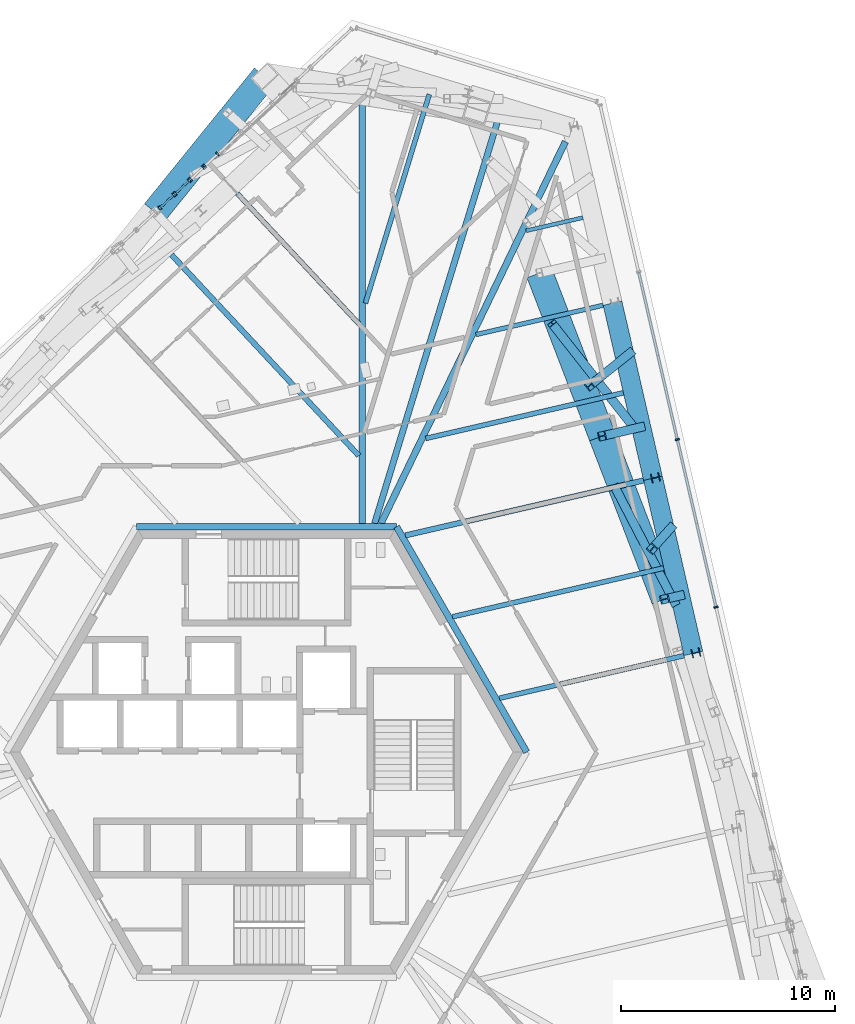
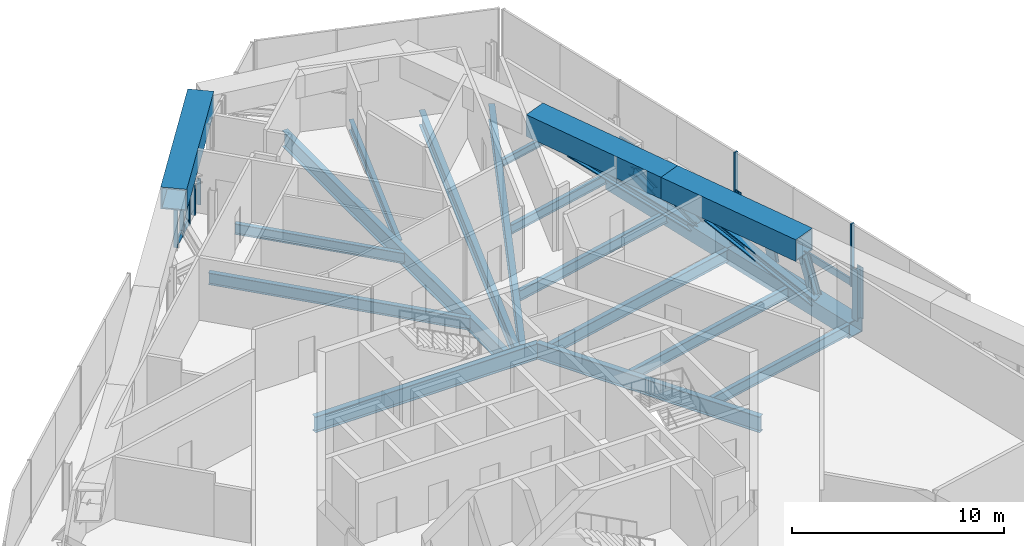
# One storey, part 8 of 31: 27 members, 14 beams, 5 elements without a shape of their own.
"""IFC4 building model written with IfcOpenShell, lengths in metres."""

from ifc_helpers import new_model, si_unit, direction, frame, origin, origin_2d, place, context, subcontext, project, spatial, rectangle, hollow_rectangle, i_section, extrude, source, transform, mapped, material, material_profile, profile_set, type_object, element, aggregate, save


model = new_model("IFC4")

# Units and contexts
model_context = context("Model", 3, precision=1e-05, world=origin(), true_north=direction((0.0, 1.0)))
body_context = subcontext(model_context, "Body", "Model", "MODEL_VIEW")
ifc_project = project(units=[si_unit("LENGTHUNIT", "METRE"), si_unit("AREAUNIT", "SQUARE_METRE"), si_unit("VOLUMEUNIT", "CUBIC_METRE"), si_unit("PLANEANGLEUNIT", "RADIAN"), si_unit("MASSUNIT", "GRAM", prefix="KILO")], contexts=[model_context])

# Site, building, storey
site_placement = place(None, origin())
site = spatial("IfcSite", under=ifc_project, at=site_placement, CompositionType="ELEMENT")
building_placement = place(site_placement, origin())
building = spatial("IfcBuilding", under=site, at=building_placement, Name="Triune Harvest Tower", CompositionType="ELEMENT")
storey_placement = place(building_placement, frame((0.0, 0.0, 134.300048828125)))
storey = spatial("IfcBuildingStorey", under=building, at=storey_placement, Name="L34", CompositionType="ELEMENT", Elevation=134.300048828125)

# Beams
ifc_material_1 = material(Name="Steel ASTM A992 Gr 50", Category="steel")
ifc_material_profile_1 = material_profile(ifc_material_1, i_section(OverallWidth=0.180908203125, OverallDepth=0.41650390625, WebThickness=0.010986328125, FlangeThickness=0.01806640625, at=origin_2d()), Name="W16x57")
ifc_profile_set_1 = profile_set([ifc_material_profile_1], Name="Steel ASTM A992 Gr 50")
beam_type_1 = type_object("IfcBeamType", Name="JT-1 Floor joist W16x57", PredefinedType="JOIST", material=ifc_profile_set_1)
beam_1_placement = place(storey_placement, frame((14.8095703125, 25.008544921875, -0.458251953125), z_axis=(-0.974376138441, -0.224924744829, 0.0), x_axis=(0.224924744829, -0.974376138441, 0.0)))
element("IfcBeam", 1, at=beam_1_placement, inside=storey, type_object=beam_type_1, Name="beam/L34/JT11", PredefinedType="JOIST", context=body_context, shape_type="SweptSolid", body=[
    extrude(i_section(OverallWidth=0.180908203125, OverallDepth=0.41650390625, WebThickness=0.010986328125, FlangeThickness=0.01806640625, at=origin_2d()), origin(), (0.0, 0.0, 1.0), 2.733154296875),
])
ifc_material_2 = material(Name="Steel ASTM A992 Gr 50", Category="steel")
ifc_material_profile_2 = material_profile(ifc_material_2, i_section(OverallWidth=0.22900390625, OverallDepth=0.612060546875, WebThickness=0.011962890625, FlangeThickness=0.01953125, at=origin_2d()), Name="W24x84")
ifc_profile_set_2 = profile_set([ifc_material_profile_2], Name="Steel ASTM A992 Gr 50")
beam_type_2 = type_object("IfcBeamType", Name="JT-3 Floor joist W24x84", PredefinedType="JOIST", material=ifc_profile_set_2)
beam_2_placement = place(storey_placement, frame((16.702392578125, 16.809814453125, -0.55615234375), z_axis=(-0.97436821741, -0.224959056055, 0.0), x_axis=(0.224959056055, -0.97436821741, 0.0)))
element("IfcBeam", 2, at=beam_2_placement, inside=storey, type_object=beam_type_2, Name="beam/L34/JT9", PredefinedType="JOIST", context=body_context, shape_type="SweptSolid", body=[
    extrude(i_section(OverallWidth=0.22900390625, OverallDepth=0.612060546875, WebThickness=0.011962890625, FlangeThickness=0.01953125, at=origin_2d()), origin(), (0.0, 0.0, 1.0), 9.492919921875),
])

# Curtain wall, member
ifc_material_3 = material(Name="Aluminium bronze anodised", Category="aluminium")
curtain_wall_type = type_object("IfcCurtainWallType", Name="CW-5 Plant louvre wall", PredefinedType="NOTDEFINED", material=ifc_material_3)
curtain_wall_1_placement = place(storey_placement, origin())
curtain_wall_1 = element("IfcCurtainWall", 3, at=curtain_wall_1_placement, inside=storey, type_object=curtain_wall_type, Name="CW-5 B3-F1 L34 run 1601")
ifc_material_4 = material(Name="Aluminium bronze anodised", Category="aluminium")
ifc_material_profile_3 = material_profile(ifc_material_4, rectangle(XDim=0.10009765625, YDim=0.39990234375, at=origin_2d()), Name="TR-5 transom 100 x 400")
ifc_profile_set_3 = profile_set([ifc_material_profile_3], Name="Aluminium bronze anodised")
member_type_1 = type_object("IfcMemberType", Name="TR-5 transom 100 x 400", PredefinedType="USERDEFINED", material=ifc_profile_set_3)
member_1_placement = place(storey_placement, frame((21.029541015625, 6.817138671875, 0.199951171875), z_axis=(-0.224944488711, 0.974371580558, 0.0), x_axis=(-0.974371580558, -0.224944488711, 0.0)))
member_1 = element("IfcMember", 4, at=member_1_placement, type_object=member_type_1, Name="CW-5 transom B3-F1 1601.2", ObjectType="TRANSOM", PredefinedType="USERDEFINED", context=body_context, shape_type="SweptSolid", body=[
    extrude(rectangle(XDim=0.10009765625, YDim=0.39990234375, at=origin_2d()), origin(), (0.0, 0.0, 1.0), 7.972900390625),
])

# Beams
ifc_material_5 = material(Name="Steel ASTM A992 Gr 50", Category="steel")
ifc_material_profile_4 = material_profile(ifc_material_5, i_section(OverallWidth=0.3046875, OverallDepth=0.914306640625, WebThickness=0.0166015625, FlangeThickness=0.02587890625, at=origin_2d()), Name="W36x160")
ifc_profile_set_4 = profile_set([ifc_material_profile_4], Name="Steel ASTM A992 Gr 50")
beam_type_3 = type_object("IfcBeamType", Name="CG-1 Core ring girder W36x160", PredefinedType="BEAM", material=ifc_profile_set_4)
shared_shape_1 = source(origin(), body_context, "Body", "SweptSolid", [
    extrude(i_section(OverallWidth=0.3046875, OverallDepth=0.914306640625, WebThickness=0.0166015625, FlangeThickness=0.02587890625, at=origin_2d()), origin(), (0.0, 0.0, 1.0), 12.176025390625),
])
beam_3_placement = place(storey_placement, frame((12.176025390625, 0.0, -0.707275390625), z_axis=(-0.5000099932, 0.866019634131, 0.0), x_axis=(-0.866019634131, -0.5000099932, 0.0)))
element("IfcBeam", 5, at=beam_3_placement, inside=storey, type_object=beam_type_3, Name="beam/L34/CG1", PredefinedType="BEAM", context=body_context, shape_type="MappedRepresentation", body=[
    mapped(shared_shape_1, transform((0.0, 0.0, 0.0), scale=1.0)),
])
shared_shape_2 = source(origin(), body_context, "Body", "SweptSolid", [
    extrude(i_section(OverallWidth=0.3046875, OverallDepth=0.914306640625, WebThickness=0.0166015625, FlangeThickness=0.02587890625, at=origin_2d()), origin(), (0.0, 0.0, 1.0), 12.17578125),
])
beam_4_placement = place(storey_placement, frame((6.087890625, 10.544677734375, -0.707275390625), z_axis=(-1.0, 0.0, 0.0), x_axis=(0.0, -1.0, 0.0)))
element("IfcBeam", 6, at=beam_4_placement, inside=storey, type_object=beam_type_3, Name="beam/L34/CG2", PredefinedType="BEAM", context=body_context, shape_type="MappedRepresentation", body=[
    mapped(shared_shape_2, transform((0.0, 0.0, 0.0), scale=1.0)),
])
ifc_material_6 = material(Name="Steel ASTM A992 Gr 50", Category="steel")
ifc_material_profile_5 = material_profile(ifc_material_6, i_section(OverallWidth=0.307373046875, OverallDepth=0.922119140625, WebThickness=0.018310546875, FlangeThickness=0.030029296875, at=origin_2d()), Name="W36x182")
ifc_profile_set_5 = profile_set([ifc_material_profile_5], Name="Steel ASTM A992 Gr 50")
beam_type_4 = type_object("IfcBeamType", Name="HG-2 Hip girder W36x182", PredefinedType="BEAM", material=ifc_profile_set_5)
shared_shape_3 = source(origin(), body_context, "Body", "SweptSolid", [
    extrude(i_section(OverallWidth=0.307373046875, OverallDepth=0.922119140625, WebThickness=0.018310546875, FlangeThickness=0.030029296875, at=origin_2d()), origin(), (0.0, 0.0, 1.0), 19.839111328125),
])
beam_5_placement = place(storey_placement, frame((13.989013671875, 28.56201171875, -0.7109375), z_axis=(-0.434870199671, -0.900493147913, 0.0), x_axis=(0.900493147913, -0.434870199671, 0.0)))
element("IfcBeam", 7, at=beam_5_placement, inside=storey, type_object=beam_type_4, Name="beam/L34/HG3", PredefinedType="BEAM", context=body_context, shape_type="MappedRepresentation", body=[
    mapped(shared_shape_3, transform((0.0, 0.0, 0.0), scale=1.0)),
])
shared_shape_4 = source(origin(), body_context, "Body", "SweptSolid", [
    extrude(i_section(OverallWidth=0.307373046875, OverallDepth=0.922119140625, WebThickness=0.018310546875, FlangeThickness=0.030029296875, at=origin_2d()), origin(), (0.0, 0.0, 1.0), 20.900390625),
])
beam_6_placement = place(storey_placement, frame((4.47705078125, 31.597412109375, -0.7109375), z_axis=(0.0, -1.0, 0.0), x_axis=(1.0, 0.0, 0.0)))
element("IfcBeam", 8, at=beam_6_placement, inside=storey, type_object=beam_type_4, Name="beam/L34/HG4", PredefinedType="BEAM", context=body_context, shape_type="MappedRepresentation", body=[
    mapped(shared_shape_4, transform((0.0, 0.0, 0.0), scale=1.0)),
])
shared_shape_5 = source(origin(), body_context, "Body", "SweptSolid", [
    extrude(i_section(OverallWidth=0.22900390625, OverallDepth=0.612060546875, WebThickness=0.011962890625, FlangeThickness=0.01953125, at=origin_2d()), origin(), (0.0, 0.0, 1.0), 8.86962890625),
])
beam_7_placement = place(storey_placement, frame((19.54150390625, 4.511474609375, -0.55615234375), z_axis=(-0.974373099975, -0.224937907088, 0.0), x_axis=(0.224937907088, -0.974373099975, 0.0)))
element("IfcBeam", 9, at=beam_7_placement, inside=storey, type_object=beam_type_2, Name="beam/L34/JT6", PredefinedType="JOIST", context=body_context, shape_type="MappedRepresentation", body=[
    mapped(shared_shape_5, transform((0.0, 0.0, 0.0), scale=1.0)),
])
shared_shape_6 = source(origin(), body_context, "Body", "SweptSolid", [
    extrude(i_section(OverallWidth=0.22900390625, OverallDepth=0.612060546875, WebThickness=0.011962890625, FlangeThickness=0.01953125, at=origin_2d()), origin(), (0.0, 0.0, 1.0), 10.156005859375),
])
beam_8_placement = place(storey_placement, frame((18.59521484375, 8.61083984375, -0.55615234375), z_axis=(-0.974374176509, -0.224933243767, 0.0), x_axis=(0.224933243767, -0.974374176509, 0.0)))
element("IfcBeam", 10, at=beam_8_placement, inside=storey, type_object=beam_type_2, Name="beam/L34/JT7", PredefinedType="JOIST", context=body_context, shape_type="MappedRepresentation", body=[
    mapped(shared_shape_6, transform((0.0, 0.0, 0.0), scale=1.0)),
])
ifc_material_7 = material(Name="Steel ASTM A992 Gr 50", Category="steel")
ifc_material_profile_6 = material_profile(ifc_material_7, i_section(OverallWidth=0.253662109375, OverallDepth=0.683349609375, WebThickness=0.012451171875, FlangeThickness=0.01904296875, at=origin_2d()), Name="W27x94")
ifc_profile_set_6 = profile_set([ifc_material_profile_6], Name="Steel ASTM A992 Gr 50")
beam_type_5 = type_object("IfcBeamType", Name="JT-4 Floor joist W27x94", PredefinedType="JOIST", material=ifc_profile_set_6)
shared_shape_7 = source(origin(), body_context, "Body", "SweptSolid", [
    extrude(i_section(OverallWidth=0.253662109375, OverallDepth=0.683349609375, WebThickness=0.012451171875, FlangeThickness=0.01904296875, at=origin_2d()), origin(), (0.0, 0.0, 1.0), 11.442138671875),
])
beam_9_placement = place(storey_placement, frame((17.648681640625, 12.710205078125, -0.591552734375), z_axis=(-0.974369254843, -0.224954562559, 0.0), x_axis=(0.224954562559, -0.974369254843, 0.0)))
element("IfcBeam", 11, at=beam_9_placement, inside=storey, type_object=beam_type_5, Name="beam/L34/JT8", PredefinedType="JOIST", context=body_context, shape_type="MappedRepresentation", body=[
    mapped(shared_shape_7, transform((0.0, 0.0, 0.0), scale=1.0)),
])
ifc_material_8 = material(Name="Steel ASTM A992 Gr 50", Category="steel")
ifc_material_profile_7 = material_profile(ifc_material_8, i_section(OverallWidth=0.2099609375, OverallDepth=0.535888671875, WebThickness=0.010986328125, FlangeThickness=0.017333984375, at=origin_2d()), Name="W21x68")
ifc_profile_set_7 = profile_set([ifc_material_profile_7], Name="Steel ASTM A992 Gr 50")
beam_type_6 = type_object("IfcBeamType", Name="JT-2 Floor joist W21x68", PredefinedType="JOIST", material=ifc_profile_set_7)
shared_shape_8 = source(origin(), body_context, "Body", "SweptSolid", [
    extrude(i_section(OverallWidth=0.2099609375, OverallDepth=0.535888671875, WebThickness=0.010986328125, FlangeThickness=0.017333984375, at=origin_2d()), origin(), (0.0, 0.0, 1.0), 6.11279296875),
])
beam_10_placement = place(storey_placement, frame((15.755859375, 20.9091796875, -0.51806640625), z_axis=(-0.974363589725, -0.22497909907, 0.0), x_axis=(0.22497909907, -0.974363589725, 0.0)))
element("IfcBeam", 12, at=beam_10_placement, inside=storey, type_object=beam_type_6, Name="beam/L34/JT10", PredefinedType="JOIST", context=body_context, shape_type="MappedRepresentation", body=[
    mapped(shared_shape_8, transform((0.0, 0.0, 0.0), scale=1.0)),
])
ifc_material_9 = material(Name="Steel ASTM A992 Gr 50", Category="steel")
ifc_material_profile_8 = material_profile(ifc_material_9, i_section(OverallWidth=0.2919921875, OverallDepth=0.8583984375, WebThickness=0.01708984375, FlangeThickness=0.031005859375, at=origin_2d()), Name="W33x169")
ifc_profile_set_8 = profile_set([ifc_material_profile_8], Name="Steel ASTM A992 Gr 50")
beam_type_7 = type_object("IfcBeamType", Name="JT-7 Floor joist W33x169", PredefinedType="JOIST", material=ifc_profile_set_8)
shared_shape_9 = source(origin(), body_context, "Body", "SweptSolid", [
    extrude(i_section(OverallWidth=0.2919921875, OverallDepth=0.8583984375, WebThickness=0.01708984375, FlangeThickness=0.031005859375, at=origin_2d()), origin(), (0.0, 0.0, 1.0), 19.954833984375),
])
beam_11_placement = place(storey_placement, frame((10.89501953125, 29.780029296875, -0.679443359375), z_axis=(-0.292359027936, -0.956308631554, 0.0), x_axis=(0.956308631554, -0.292359027936, 0.0)))
element("IfcBeam", 13, at=beam_11_placement, inside=storey, type_object=beam_type_7, Name="beam/L34/JT12", PredefinedType="JOIST", context=body_context, shape_type="MappedRepresentation", body=[
    mapped(shared_shape_9, transform((0.0, 0.0, 0.0), scale=1.0)),
])
shared_shape_10 = source(origin(), body_context, "Body", "SweptSolid", [
    extrude(i_section(OverallWidth=0.22900390625, OverallDepth=0.612060546875, WebThickness=0.011962890625, FlangeThickness=0.01953125, at=origin_2d()), origin(), (0.0, 0.0, 1.0), 10.225341796875),
])
beam_12_placement = place(storey_placement, frame((7.620361328125, 30.78125, -0.55615234375), z_axis=(-0.292362294119, -0.956307633023, 0.0), x_axis=(0.956307633023, -0.292362294119, 0.0)))
element("IfcBeam", 14, at=beam_12_placement, inside=storey, type_object=beam_type_2, Name="beam/L34/JT13", PredefinedType="JOIST", context=body_context, shape_type="MappedRepresentation", body=[
    mapped(shared_shape_10, transform((0.0, 0.0, 0.0), scale=1.0)),
])
shared_shape_11 = source(origin(), body_context, "Body", "SweptSolid", [
    extrude(i_section(OverallWidth=0.22900390625, OverallDepth=0.612060546875, WebThickness=0.011962890625, FlangeThickness=0.01953125, at=origin_2d()), origin(), (0.0, 0.0, 1.0), 8.34814453125),
])
beam_13_placement = place(storey_placement, frame((-1.369873046875, 26.14501953125, -0.55615234375), z_axis=(0.681993084232, -0.731358621375, 0.0), x_axis=(0.731358621375, 0.681993084232, 0.0)))
element("IfcBeam", 15, at=beam_13_placement, inside=storey, type_object=beam_type_2, Name="beam/L34/JT15", PredefinedType="JOIST", context=body_context, shape_type="MappedRepresentation", body=[
    mapped(shared_shape_11, transform((0.0, 0.0, 0.0), scale=1.0)),
])
shared_shape_12 = source(origin(), body_context, "Body", "SweptSolid", [
    extrude(i_section(OverallWidth=0.253662109375, OverallDepth=0.683349609375, WebThickness=0.012451171875, FlangeThickness=0.01904296875, at=origin_2d()), origin(), (0.0, 0.0, 1.0), 12.85986328125),
])
beam_14_placement = place(storey_placement, frame((-4.447021484375, 23.275634765625, -0.591552734375), z_axis=(0.682005684837, -0.731346871088, 0.0), x_axis=(0.731346871088, 0.682005684837, 0.0)))
element("IfcBeam", 16, at=beam_14_placement, inside=storey, type_object=beam_type_5, Name="beam/L34/JT16", PredefinedType="JOIST", context=body_context, shape_type="MappedRepresentation", body=[
    mapped(shared_shape_12, transform((0.0, 0.0, 0.0), scale=1.0)),
])

# Members
ifc_material_10 = material(Name="Steel ASTM A992 Gr 50", Category="steel")
ifc_material_profile_9 = material_profile(ifc_material_10, i_section(OverallWidth=0.396240234375, OverallDepth=0.381103515625, WebThickness=0.01904296875, FlangeThickness=0.0302734375, at=origin_2d()), Name="W14x159")
ifc_profile_set_9 = profile_set([ifc_material_profile_9], Name="Steel ASTM A992 Gr 50")
member_type_2 = type_object("IfcMemberType", Name="WP-3 Roof edge post W14x159", PredefinedType="POST", material=ifc_profile_set_9)
shared_shape_13 = source(origin(), body_context, "Body", "SweptSolid", [
    extrude(i_section(OverallWidth=0.396240234375, OverallDepth=0.381103515625, WebThickness=0.01904296875, FlangeThickness=0.0302734375, at=origin_2d()), origin(), (0.0, 0.0, 1.0), 2.935546875),
])
for number, where, z_axis, x_axis, name in (
    (17, (20.096923828125, 4.639892578125, -0.25), (0.0, 0.0, 1.0), (-0.22495275494, 0.97436967217, 0.0), "post/L34/W3"),
    (18, (18.2041015625, 12.83837890625, -0.25), (0.0, 0.0, 1.0), (-0.22495275494, 0.97436967217, 0.0), "post/L34/W4"),
):
    element("IfcMember", number, at=place(storey_placement, frame(where, z_axis=z_axis, x_axis=x_axis)), inside=storey, type_object=member_type_2, Name=name, PredefinedType="POST", context=body_context, shape_type="MappedRepresentation", body=[
        mapped(shared_shape_13, transform((0.0, 0.0, 0.0), scale=1.0)),
    ])
ifc_material_11 = material(Name="Steel ASTM A572 Gr 50", Category="steel")
ifc_material_profile_10 = material_profile(ifc_material_11, hollow_rectangle(XDim=0.89990234375, YDim=0.89990234375, WallThickness=0.050048828125, at=origin_2d()), Name="Box 900x900x50")
ifc_profile_set_10 = profile_set([ifc_material_profile_10], Name="Steel ASTM A572 Gr 50")
member_type_3 = type_object("IfcMemberType", Name="TC-2 Belt truss chord Box 900x900x50", PredefinedType="CHORD", material=ifc_profile_set_10)
shared_shape_14 = source(origin(), body_context, "Body", "SweptSolid", [
    extrude(hollow_rectangle(XDim=0.89990234375, YDim=0.89990234375, WallThickness=0.050048828125, at=origin_2d()), origin(), (0.0, 0.0, 1.0), 8.414306640625),
])
for number, where, z_axis, x_axis, name in (
    (19, (19.97998046875, 4.61279296875, -0.699951171875), (-0.224950624774, 0.974370163959, 0.0), (-0.974370163959, -0.224950624774, 0.0), "truss/L34/TCB4"),
    (20, (18.087158203125, 12.8115234375, -0.699951171875), (-0.224950624774, 0.974370163959, 0.0), (-0.974370163959, -0.224950624774, 0.0), "truss/L34/TCB5"),
):
    element("IfcMember", number, at=place(storey_placement, frame(where, z_axis=z_axis, x_axis=x_axis)), inside=storey, type_object=member_type_3, Name=name, PredefinedType="CHORD", context=body_context, shape_type="MappedRepresentation", body=[
        mapped(shared_shape_14, transform((0.0, 0.0, 0.0), scale=1.0)),
    ])
ifc_material_12 = material(Name="Steel ASTM A572 Gr 50", Category="steel")
ifc_material_profile_11 = material_profile(ifc_material_12, hollow_rectangle(XDim=1.25, YDim=1.25, WallThickness=0.070068359375, at=origin_2d()), Name="Box 1250x1250x70")
ifc_profile_set_11 = profile_set([ifc_material_profile_11], Name="Steel ASTM A572 Gr 50")
member_type_4 = type_object("IfcMemberType", Name="TC-1 Belt truss chord Box 1250x1250x70", PredefinedType="CHORD", material=ifc_profile_set_11)
shared_shape_15 = source(origin(), body_context, "Body", "SweptSolid", [
    extrude(hollow_rectangle(XDim=1.25, YDim=1.25, WallThickness=0.070068359375, at=origin_2d()), origin(), (0.0, 0.0, 1.0), 8.175048828125),
])
for number, where, z_axis, x_axis, name in (
    (21, (15.706298828125, 14.78564453125, 2.974853515625), (-0.358368636722, 0.933580162714, 0.0), (-0.933580162714, -0.358368636722, 0.0), "truss/L34/TCT5"),
    (22, (-0.0791015625, 31.621826171875, 2.974853515625), (-0.629334818401, -0.777134278196, 0.0), (0.777134278196, -0.629334818401, 0.0), "truss/L34/TCT9"),
):
    element("IfcMember", number, at=place(storey_placement, frame(where, z_axis=z_axis, x_axis=x_axis)), inside=storey, type_object=member_type_4, Name=name, PredefinedType="CHORD", context=body_context, shape_type="MappedRepresentation", body=[
        mapped(shared_shape_15, transform((0.0, 0.0, 0.0), scale=1.0)),
    ])
shared_shape_16 = source(origin(), body_context, "Body", "SweptSolid", [
    extrude(hollow_rectangle(XDim=1.25, YDim=1.25, WallThickness=0.070068359375, at=origin_2d()), origin(), (0.0, 0.0, 1.0), 8.1748046875),
])
member_2_placement = place(storey_placement, frame((18.635986328125, 7.15380859375, 2.974853515625), z_axis=(-0.358378628473, 0.933576327171, 0.0), x_axis=(-0.933576327171, -0.358378628473, 0.0)))
element("IfcMember", 23, at=member_2_placement, inside=storey, type_object=member_type_4, Name="truss/L34/TCT4", PredefinedType="CHORD", context=body_context, shape_type="MappedRepresentation", body=[
    mapped(shared_shape_16, transform((0.0, 0.0, 0.0), scale=1.0)),
])
ifc_material_13 = material(Name="Steel ASTM A992 Gr 50", Category="steel")
ifc_material_profile_12 = material_profile(ifc_material_13, i_section(OverallWidth=0.411376953125, OverallDepth=0.434326171875, WebThickness=0.035888671875, FlangeThickness=0.057373046875, at=origin_2d()), Name="W14x311")
ifc_profile_set_12 = profile_set([ifc_material_profile_12], Name="Steel ASTM A992 Gr 50")
member_type_5 = type_object("IfcMemberType", Name="TV-1 Belt truss strut W14x311", PredefinedType="STRUT", material=ifc_profile_set_12)
shared_shape_17 = source(origin(), body_context, "Body", "SweptSolid", [
    extrude(i_section(OverallWidth=0.411376953125, OverallDepth=0.434326171875, WebThickness=0.035888671875, FlangeThickness=0.057373046875, at=origin_2d()), origin(), (0.0, 0.0, 1.0), 2.760498046875),
])
member_3_placement = place(storey_placement, frame((19.35498046875, 7.319580078125, -0.275146484375), z_axis=(-0.260449329967, -0.060049268267, 0.963618301975), x_axis=(0.22466618028, -0.974435789284, 0.0)))
element("IfcMember", 24, at=member_3_placement, inside=storey, type_object=member_type_5, Name="truss/L34/TS4", PredefinedType="STRUT", context=body_context, shape_type="MappedRepresentation", body=[
    mapped(shared_shape_17, transform((0.0, 0.0, 0.0), scale=1.0)),
])
shared_shape_18 = source(origin(), body_context, "Body", "SweptSolid", [
    extrude(i_section(OverallWidth=0.411376953125, OverallDepth=0.434326171875, WebThickness=0.035888671875, FlangeThickness=0.057373046875, at=origin_2d()), origin(), (0.0, 0.0, 1.0), 3.2548828125),
])
member_4_placement = place(storey_placement, frame((17.533935546875, 15.207763671875, -0.275146484375), z_axis=(-0.561489994076, -0.12968423721, 0.817258212056), x_axis=(0.225040112878, -0.974349499715, 0.0)))
element("IfcMember", 25, at=member_4_placement, inside=storey, type_object=member_type_5, Name="truss/L34/TS5", PredefinedType="STRUT", context=body_context, shape_type="MappedRepresentation", body=[
    mapped(shared_shape_18, transform((0.0, 0.0, 0.0), scale=1.0)),
])
ifc_material_14 = material(Name="Steel ASTM A992 Gr 50", Category="steel")
ifc_material_profile_13 = material_profile(ifc_material_14, i_section(OverallWidth=0.411376953125, OverallDepth=0.434326171875, WebThickness=0.035888671875, FlangeThickness=0.057373046875, at=origin_2d()), Name="W14x311")
ifc_profile_set_13 = profile_set([ifc_material_profile_13], Name="Steel ASTM A992 Gr 50")
member_type_6 = type_object("IfcMemberType", Name="TD-2 Belt truss diagonal W14x311", PredefinedType="BRACE", material=ifc_profile_set_13)
shared_shape_19 = source(origin(), body_context, "Body", "SweptSolid", [
    extrude(i_section(OverallWidth=0.411376953125, OverallDepth=0.434326171875, WebThickness=0.035888671875, FlangeThickness=0.057373046875, at=origin_2d()), origin(), (0.0, 0.0, 1.0), 6.75341796875),
])
member_5_placement = place(storey_placement, frame((19.135986328125, 6.934814453125, -0.324951171875), z_axis=(-0.420970553854, 0.813490800633, 0.401268625829), x_axis=(-0.888128769971, -0.459594699654, 0.0)))
element("IfcMember", 26, at=member_5_placement, inside=storey, type_object=member_type_6, Name="truss/L34/TD7", PredefinedType="BRACE", context=body_context, shape_type="MappedRepresentation", body=[
    mapped(shared_shape_19, transform((0.0, 0.0, 0.0), scale=1.0)),
])
shared_shape_20 = source(origin(), body_context, "Body", "SweptSolid", [
    extrude(i_section(OverallWidth=0.411376953125, OverallDepth=0.434326171875, WebThickness=0.035888671875, FlangeThickness=0.057373046875, at=origin_2d()), origin(), (0.0, 0.0, 1.0), 3.01318359375),
])
member_6_placement = place(storey_placement, frame((18.93115234375, 10.489501953125, -0.324951171875), z_axis=(-0.292655695602, -0.324821894703, 0.899357204092), x_axis=(0.742934667926, -0.669363936281, 0.0)))
element("IfcMember", 27, at=member_6_placement, inside=storey, type_object=member_type_6, Name="truss/L34/TD8", PredefinedType="BRACE", context=body_context, shape_type="MappedRepresentation", body=[
    mapped(shared_shape_20, transform((0.0, 0.0, 0.0), scale=1.0)),
])
shared_shape_21 = source(origin(), body_context, "Body", "SweptSolid", [
    extrude(i_section(OverallWidth=0.411376953125, OverallDepth=0.434326171875, WebThickness=0.035888671875, FlangeThickness=0.057373046875, at=origin_2d()), origin(), (0.0, 0.0, 1.0), 6.831787109375),
])
member_7_placement = place(storey_placement, frame((17.2431640625, 15.1337890625, -0.324951171875), z_axis=(-0.56791981189, 0.721192406478, 0.396671904856), x_axis=(-0.785646485407, -0.618675682379, 0.0)))
element("IfcMember", 28, at=member_7_placement, inside=storey, type_object=member_type_6, Name="truss/L34/TD9", PredefinedType="BRACE", context=body_context, shape_type="MappedRepresentation", body=[
    mapped(shared_shape_21, transform((0.0, 0.0, 0.0), scale=1.0)),
])
shared_shape_22 = source(origin(), body_context, "Body", "SweptSolid", [
    extrude(i_section(OverallWidth=0.411376953125, OverallDepth=0.434326171875, WebThickness=0.035888671875, FlangeThickness=0.057373046875, at=origin_2d()), origin(), (0.0, 0.0, 1.0), 3.662353515625),
])
member_8_placement = place(storey_placement, frame((17.038330078125, 18.68798828125, -0.324951171875), z_axis=(-0.523898265921, -0.421905092889, 0.739950471017), x_axis=(0.627217676254, -0.778844006586, 0.0)))
element("IfcMember", 29, at=member_8_placement, inside=storey, type_object=member_type_6, Name="truss/L34/TD10", PredefinedType="BRACE", context=body_context, shape_type="MappedRepresentation", body=[
    mapped(shared_shape_22, transform((0.0, 0.0, 0.0), scale=1.0)),
])

# Member
ifc_material_15 = material(Name="Aluminium bronze anodised", Category="aluminium")
ifc_material_profile_14 = material_profile(ifc_material_15, rectangle(XDim=0.199951171875, YDim=0.080078125, at=origin_2d()), Name="MU-5 mullion 80 x 200")
ifc_profile_set_14 = profile_set([ifc_material_profile_14], Name="Aluminium bronze anodised")
member_type_7 = type_object("IfcMemberType", Name="MU-5 mullion 80 x 200", PredefinedType="MULLION", material=ifc_profile_set_14)
shared_shape_23 = source(origin(), body_context, "Body", "SweptSolid", [
    extrude(rectangle(XDim=0.199951171875, YDim=0.080078125, at=origin_2d()), origin(), (0.0, 0.0, 1.0), 3.599853515625),
])
member_9_placement = place(storey_placement, frame((21.03857421875, 6.7783203125, 0.0), z_axis=(0.0, 0.0, 1.0), x_axis=(-0.974370000314, -0.224951333599, 0.0)))
member_9 = element("IfcMember", 30, at=member_9_placement, type_object=member_type_7, Name="CW-5 mullion B3-F1 1601.3", PredefinedType="MULLION", context=body_context, shape_type="MappedRepresentation", body=[
    mapped(shared_shape_23, transform((0.0, 0.0, 0.0), scale=1.0)),
])

member_10_placement = place(storey_placement, frame((19.22705078125, 14.62451171875, 0.0), z_axis=(0.0, 0.0, 1.0), x_axis=(-0.974370000314, -0.224951333599, 0.0)))
member_10 = element("IfcMember", 31, at=member_10_placement, type_object=member_type_7, Name="CW-5 mullion B3-F1 1601.5", PredefinedType="MULLION", context=body_context, shape_type="MappedRepresentation", body=[
    mapped(shared_shape_23, transform((0.0, 0.0, 0.0), scale=1.0)),
])

# Curtain wall, members
curtain_wall_2_placement = place(storey_placement, origin())
curtain_wall_2 = element("IfcCurtainWall", 32, at=curtain_wall_2_placement, inside=storey, type_object=curtain_wall_type, Name="CW-5 B3-F3 L34 run 1101")
shared_shape_24 = source(origin(), body_context, "Body", "SweptSolid", [
    extrude(rectangle(XDim=0.199951171875, YDim=0.080078125, at=origin_2d()), origin(), (0.0, 0.0, 1.0), 2.2900390625),
])
member_11_placement = place(storey_placement, frame((-4.3291015625, 26.077392578125, 0.0), z_axis=(0.0, 0.0, 1.0), x_axis=(0.681932836789, -0.731414797574, 0.0)))
member_11 = element("IfcMember", 33, at=member_11_placement, type_object=member_type_7, Name="CW-5 mullion B3-F3 1101.1", PredefinedType="MULLION", context=body_context, shape_type="MappedRepresentation", body=[
    mapped(shared_shape_24, transform((0.0, 0.0, 0.0), scale=1.0)),
])
member_12_placement = place(storey_placement, frame((-4.987548828125, 25.46337890625, 0.0), z_axis=(0.0, 0.0, 1.0), x_axis=(0.681932836789, -0.731414797574, 0.0)))
member_12 = element("IfcMember", 34, at=member_12_placement, type_object=member_type_7, Name="CW-5 mullion B3-F3 1101.2", PredefinedType="MULLION", context=body_context, shape_type="MappedRepresentation", body=[
    mapped(shared_shape_24, transform((0.0, 0.0, 0.0), scale=1.0)),
])

curtain_wall_3_placement = place(storey_placement, origin())
curtain_wall_3 = element("IfcCurtainWall", 35, at=curtain_wall_3_placement, inside=storey, type_object=curtain_wall_type, Name="CW-5 B3-F3 L34 run 801")
shared_shape_25 = source(origin(), body_context, "Body", "SweptSolid", [
    extrude(rectangle(XDim=0.199951171875, YDim=0.080078125, at=origin_2d()), origin(), (0.0, 0.0, 1.0), 1.48779296875),
])
member_13_placement = place(storey_placement, frame((-2.2861328125, 27.982421875, 0.0), z_axis=(0.0, 0.0, 1.0), x_axis=(0.682027410561, -0.731326610512, 0.0)))
member_13 = element("IfcMember", 36, at=member_13_placement, type_object=member_type_7, Name="CW-5 mullion B3-F3 801.1", PredefinedType="MULLION", context=body_context, shape_type="MappedRepresentation", body=[
    mapped(shared_shape_25, transform((0.0, 0.0, 0.0), scale=1.0)),
])
member_14_placement = place(storey_placement, frame((-2.890625, 27.418701171875, 0.0), z_axis=(0.0, 0.0, 1.0), x_axis=(0.682027410561, -0.731326610512, 0.0)))
member_14 = element("IfcMember", 37, at=member_14_placement, type_object=member_type_7, Name="CW-5 mullion B3-F3 801.2", PredefinedType="MULLION", context=body_context, shape_type="MappedRepresentation", body=[
    mapped(shared_shape_25, transform((0.0, 0.0, 0.0), scale=1.0)),
])
aggregate(curtain_wall_3, [member_13, member_14])

curtain_wall_4_placement = place(storey_placement, origin())
curtain_wall_4 = element("IfcCurtainWall", 38, at=curtain_wall_4_placement, inside=storey, type_object=curtain_wall_type, Name="CW-5 B3-F3 L34 run 901")
shared_shape_26 = source(origin(), body_context, "Body", "SweptSolid", [
    extrude(rectangle(XDim=0.199951171875, YDim=0.080078125, at=origin_2d()), origin(), (0.0, 0.0, 1.0), 1.817138671875),
])
member_15_placement = place(storey_placement, frame((-2.94921875, 27.364013671875, 0.0), z_axis=(0.0, 0.0, 1.0), x_axis=(0.681968417069, -0.731381622766, 0.0)))
member_15 = element("IfcMember", 39, at=member_15_placement, type_object=member_type_7, Name="CW-5 mullion B3-F3 901.1", PredefinedType="MULLION", context=body_context, shape_type="MappedRepresentation", body=[
    mapped(shared_shape_26, transform((0.0, 0.0, 0.0), scale=1.0)),
])
member_16_placement = place(storey_placement, frame((-3.5537109375, 26.80029296875, 0.0), z_axis=(0.0, 0.0, 1.0), x_axis=(0.681968417069, -0.731381622766, 0.0)))
member_16 = element("IfcMember", 40, at=member_16_placement, type_object=member_type_7, Name="CW-5 mullion B3-F3 901.2", PredefinedType="MULLION", context=body_context, shape_type="MappedRepresentation", body=[
    mapped(shared_shape_26, transform((0.0, 0.0, 0.0), scale=1.0)),
])
aggregate(curtain_wall_4, [member_15, member_16])

curtain_wall_5_placement = place(storey_placement, origin())
curtain_wall_5 = element("IfcCurtainWall", 41, at=curtain_wall_5_placement, inside=storey, type_object=curtain_wall_type, Name="CW-5 B3-F3 L34 run 1001")
shared_shape_27 = source(origin(), body_context, "Body", "SweptSolid", [
    extrude(rectangle(XDim=0.199951171875, YDim=0.080078125, at=origin_2d()), origin(), (0.0, 0.0, 1.0), 2.146728515625),
])
member_17_placement = place(storey_placement, frame((-3.6123046875, 26.745849609375, 0.0), z_axis=(0.0, 0.0, 1.0), x_axis=(0.68203829755, -0.731316457271, 0.0)))
member_17 = element("IfcMember", 42, at=member_17_placement, type_object=member_type_7, Name="CW-5 mullion B3-F3 1001.1", PredefinedType="MULLION", context=body_context, shape_type="MappedRepresentation", body=[
    mapped(shared_shape_27, transform((0.0, 0.0, 0.0), scale=1.0)),
])
member_18_placement = place(storey_placement, frame((-4.2705078125, 26.1318359375, 0.0), z_axis=(0.0, 0.0, 1.0), x_axis=(0.68203829755, -0.731316457271, 0.0)))
member_18 = element("IfcMember", 43, at=member_18_placement, type_object=member_type_7, Name="CW-5 mullion B3-F3 1001.2", PredefinedType="MULLION", context=body_context, shape_type="MappedRepresentation", body=[
    mapped(shared_shape_27, transform((0.0, 0.0, 0.0), scale=1.0)),
])
shared_shape_28 = source(origin(), body_context, "Body", "SweptSolid", [
    extrude(rectangle(XDim=0.10009765625, YDim=0.39990234375, at=origin_2d()), origin(), (0.0, 0.0, 1.0), 0.820068359375),
])
member_19_placement = place(storey_placement, frame((-3.6416015625, 26.718505859375, 0.199951171875), z_axis=(-0.731243359654, -0.682116668146, 0.0), x_axis=(0.682116668146, -0.731243359654, 0.0)))
member_19 = element("IfcMember", 44, at=member_19_placement, type_object=member_type_1, Name="CW-5 transom B3-F3 1001.1", ObjectType="TRANSOM", PredefinedType="USERDEFINED", context=body_context, shape_type="MappedRepresentation", body=[
    mapped(shared_shape_28, transform((0.0, 0.0, 0.0), scale=1.0)),
])
aggregate(curtain_wall_5, [member_17, member_18, member_19])

# Member
member_20_placement = place(storey_placement, frame((-4.3583984375, 26.050048828125, 0.199951171875), z_axis=(-0.731381846675, -0.681968176936, 0.0), x_axis=(0.681968176936, -0.731381846675, 0.0)))
member_20 = element("IfcMember", 45, at=member_20_placement, type_object=member_type_1, Name="CW-5 transom B3-F3 1101.1", ObjectType="TRANSOM", PredefinedType="USERDEFINED", context=body_context, shape_type="MappedRepresentation", body=[
    mapped(shared_shape_28, transform((0.0, 0.0, 0.0), scale=1.0)),
])

aggregate(curtain_wall_2, [member_11, member_12, member_20])

shared_shape_29 = source(origin(), body_context, "Body", "SweptSolid", [
    extrude(rectangle(XDim=0.10009765625, YDim=0.39990234375, at=origin_2d()), origin(), (0.0, 0.0, 1.0), 7.97265625),
])
member_21_placement = place(storey_placement, frame((19.21826171875, 14.66357421875, 0.199951171875), z_axis=(-0.22498027287, 0.974363318695, 0.0), x_axis=(-0.974363318695, -0.22498027287, 0.0)))
member_21 = element("IfcMember", 46, at=member_21_placement, type_object=member_type_1, Name="CW-5 transom B3-F1 1601.3", ObjectType="TRANSOM", PredefinedType="USERDEFINED", context=body_context, shape_type="MappedRepresentation", body=[
    mapped(shared_shape_29, transform((0.0, 0.0, 0.0), scale=1.0)),
])

aggregate(curtain_wall_1, [member_9, member_10, member_1, member_21])

save(model, "model.ifc")
